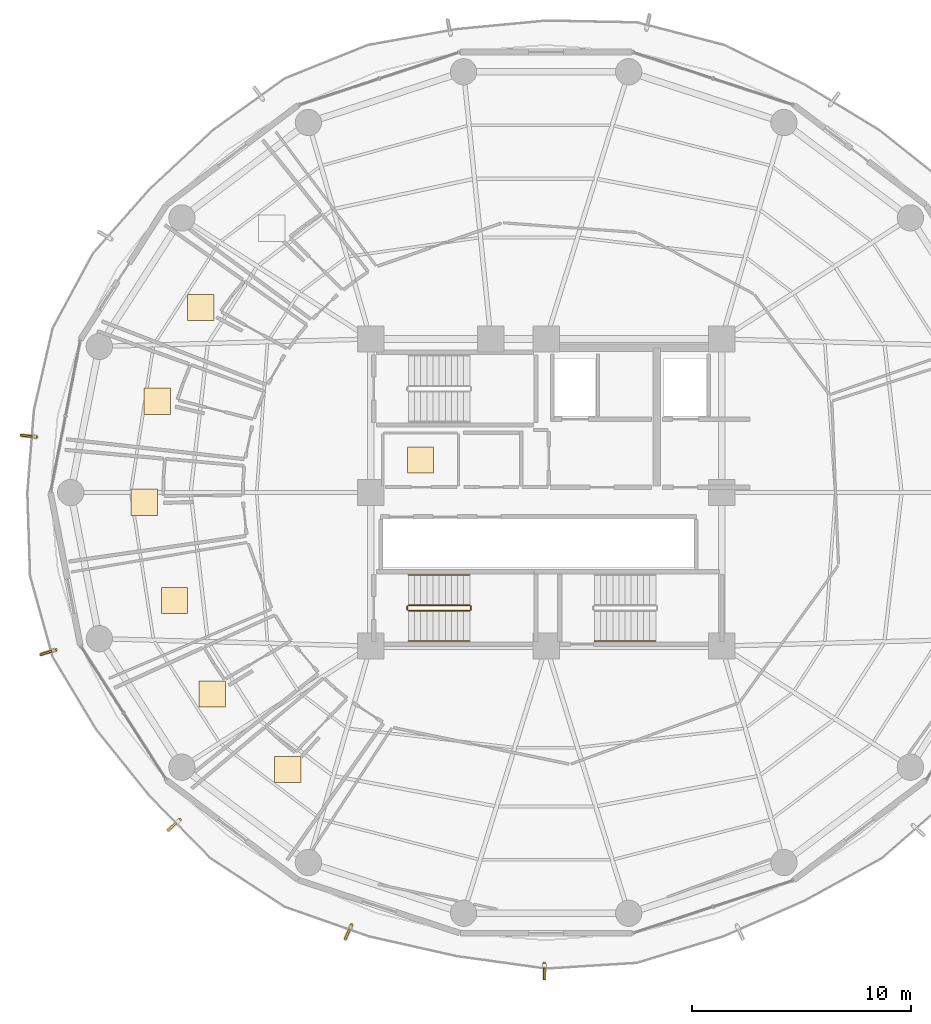
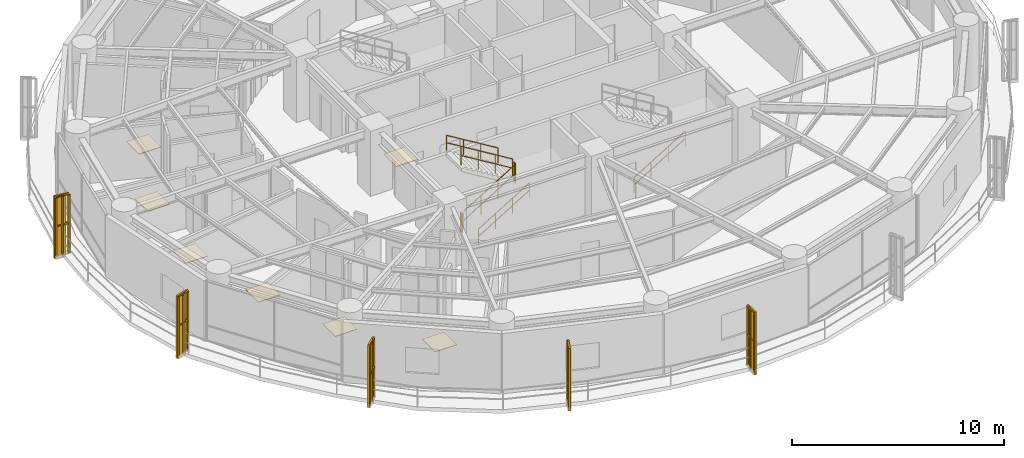
# One storey, part 26 of 28: 12 railings, 7 coverings, 5 shading devices.
"""IFC4 building model written with IfcOpenShell, lengths in metres."""

from ifc_helpers import new_model, si_unit, direction, frame, origin, origin_2d, place, context, subcontext, project, spatial, polyline, rectangle, outline, extrude, source, transform, mapped, material, layer, layer_set, type_object, element, save


model = new_model("IFC4")

# Units and contexts
model_context = context("Model", 3, precision=1e-05, world=origin(), true_north=direction((0.0, 1.0)))
body_context = subcontext(model_context, "Body", "Model", "MODEL_VIEW")
ifc_project = project(units=[si_unit("LENGTHUNIT", "METRE"), si_unit("AREAUNIT", "SQUARE_METRE"), si_unit("VOLUMEUNIT", "CUBIC_METRE"), si_unit("PLANEANGLEUNIT", "RADIAN"), si_unit("MASSUNIT", "GRAM", prefix="KILO")], contexts=[model_context])

# Site, building, storey
site_placement = place(None, origin())
site = spatial("IfcSite", under=ifc_project, at=site_placement, CompositionType="ELEMENT")
building_placement = place(site_placement, origin())
building = spatial("IfcBuilding", under=site, at=building_placement, Name="Kelanora Arch Commons", CompositionType="ELEMENT")
storey_placement = place(building_placement, frame((0.0, 0.0, 176.85009765625)))
storey = spatial("IfcBuildingStorey", under=building, at=storey_placement, Name="L45", CompositionType="ELEMENT", Elevation=176.85009765625)

# Railings
ifc_material_1 = material(Name="Anodised bronze vertical shading fin rib assembly")
railing_type_1 = type_object("IfcRailingType", Name="RAIL-FIN-BRZ", PredefinedType="BALUSTRADE", material=ifc_material_1)
railing_1_placement = place(storey_placement, frame((50.76806640625, 60.533203125, -0.02001953125)))
element("IfcRailing", 1, at=railing_1_placement, inside=storey, type_object=railing_type_1, Name="Sweeping Bronze Vertical Fin Blade L45-08", PredefinedType="BALUSTRADE", context=body_context, shape_type="SweptSolid", body=[
    extrude(outline(polyline([(0.06982421875, 0.0), (0.034912109375, 0.060546875), (-0.034912109375, 0.060546875), (-0.06982421875, 0.0), (-0.034912109375, -0.060546875), (0.034912109375, -0.060546875), (0.06982421875, 0.0)])), frame((0.0, 0.0, 3.419921875), z_axis=(-0.994097922861, 0.108486495765, 0.0), x_axis=(-0.108486495765, -0.994097922861, 0.0)), (0.0, 0.0, 1.0), 0.675048828125),
    extrude(outline(polyline([(0.06982421875, 0.0), (0.034912109375, 0.060546875), (-0.034912109375, 0.060546875), (-0.06982421875, 0.0), (-0.034912109375, -0.060546875), (0.034912109375, -0.060546875), (0.06982421875, 0.0)])), frame((0.0, 0.0, 1.7451171875), z_axis=(-0.994097922861, 0.108486495765, 0.0), x_axis=(-0.108486495765, -0.994097922861, 0.0)), (0.0, 0.0, 1.0), 0.675048828125),
    extrude(outline(polyline([(0.080078125, 0.0), (0.0400390625, 0.0693359375), (-0.0400390625, 0.0693359375), (-0.080078125, 0.0), (-0.0400390625, -0.0693359375), (0.0400390625, -0.0693359375), (0.080078125, 0.0)])), origin(), (0.0, 0.0, 1.0), 3.35009765625),
    extrude(outline(polyline([(0.080078125, 0.0), (0.0400390625, 0.0693359375), (-0.0400390625, 0.0693359375), (-0.080078125, 0.0), (-0.0400390625, -0.0693359375), (0.0400390625, -0.0693359375), (0.080078125, 0.0)])), frame((-0.33544921875, 0.03662109375, 0.0)), (0.0, 0.0, 1.0), 3.35009765625),
    extrude(outline(polyline([(0.080078125, 0.0), (0.0400390625, 0.0693359375), (-0.0400390625, 0.0693359375), (-0.080078125, 0.0), (-0.0400390625, -0.0693359375), (0.0400390625, -0.0693359375), (0.080078125, 0.0)])), frame((-0.671142578125, 0.0732421875, 0.0)), (0.0, 0.0, 1.0), 3.35009765625),
])
railing_2_placement = place(storey_placement, frame((51.636474609375, 50.82958984375, -0.02001953125)))
element("IfcRailing", 2, at=railing_2_placement, inside=storey, type_object=railing_type_1, Name="Sweeping Bronze Vertical Fin Blade L45-09", PredefinedType="BALUSTRADE", context=body_context, shape_type="SweptSolid", body=[
    extrude(outline(polyline([(0.06982421875, 0.0), (0.034912109375, 0.060546875), (-0.034912109375, 0.060546875), (-0.06982421875, 0.0), (-0.034912109375, -0.060546875), (0.034912109375, -0.060546875), (0.06982421875, 0.0)])), frame((0.0, 0.0, 3.419921875), z_axis=(-0.952377938391, -0.304920091935, 0.0), x_axis=(0.304920091935, -0.952377938391, 0.0)), (0.0, 0.0, 1.0), 0.675048828125),
    extrude(outline(polyline([(0.06982421875, 0.0), (0.034912109375, 0.060546875), (-0.034912109375, 0.060546875), (-0.06982421875, 0.0), (-0.034912109375, -0.060546875), (0.034912109375, -0.060546875), (0.06982421875, 0.0)])), frame((0.0, 0.0, 1.7451171875), z_axis=(-0.952377938391, -0.304920091935, 0.0), x_axis=(0.304920091935, -0.952377938391, 0.0)), (0.0, 0.0, 1.0), 0.675048828125),
    extrude(outline(polyline([(0.080078125, 0.0), (0.0400390625, 0.0693359375), (-0.0400390625, 0.0693359375), (-0.080078125, 0.0), (-0.0400390625, -0.0693359375), (0.0400390625, -0.0693359375), (0.080078125, 0.0)])), origin(), (0.0, 0.0, 1.0), 3.35009765625),
    extrude(outline(polyline([(0.080078125, 0.0), (0.0400390625, 0.0693359375), (-0.0400390625, 0.0693359375), (-0.080078125, 0.0), (-0.0400390625, -0.0693359375), (0.0400390625, -0.0693359375), (0.080078125, 0.0)])), frame((-0.3212890625, -0.10302734375, 0.0)), (0.0, 0.0, 1.0), 3.35009765625),
    extrude(outline(polyline([(0.080078125, 0.0), (0.0400390625, 0.0693359375), (-0.0400390625, 0.0693359375), (-0.080078125, 0.0), (-0.0400390625, -0.0693359375), (0.0400390625, -0.0693359375), (0.080078125, 0.0)])), frame((-0.642822265625, -0.205810546875, 0.0)), (0.0, 0.0, 1.0), 3.35009765625),
])
railing_3_placement = place(storey_placement, frame((57.294189453125, 43.075439453125, -0.02001953125)))
element("IfcRailing", 3, at=railing_3_placement, inside=storey, type_object=railing_type_1, Name="Sweeping Bronze Vertical Fin Blade L45-10", PredefinedType="BALUSTRADE", context=body_context, shape_type="SweptSolid", body=[
    extrude(outline(polyline([(0.06982421875, 0.0), (0.034912109375, 0.060546875), (-0.034912109375, 0.060546875), (-0.06982421875, 0.0), (-0.034912109375, -0.060546875), (0.034912109375, -0.060546875), (0.06982421875, 0.0)])), frame((0.0, 0.0, 3.419921875), z_axis=(-0.745770790962, -0.666202617338, 0.0), x_axis=(0.666202617338, -0.745770790962, 0.0)), (0.0, 0.0, 1.0), 0.675048828125),
    extrude(outline(polyline([(0.06982421875, 0.0), (0.034912109375, 0.060546875), (-0.034912109375, 0.060546875), (-0.06982421875, 0.0), (-0.034912109375, -0.060546875), (0.034912109375, -0.060546875), (0.06982421875, 0.0)])), frame((0.0, 0.0, 1.7451171875), z_axis=(-0.745770790962, -0.666202617338, 0.0), x_axis=(0.666202617338, -0.745770790962, 0.0)), (0.0, 0.0, 1.0), 0.675048828125),
    extrude(outline(polyline([(0.080078125, 0.0), (0.0400390625, 0.0693359375), (-0.0400390625, 0.0693359375), (-0.080078125, 0.0), (-0.0400390625, -0.0693359375), (0.0400390625, -0.0693359375), (0.080078125, 0.0)])), origin(), (0.0, 0.0, 1.0), 3.35009765625),
    extrude(outline(polyline([(0.080078125, 0.0), (0.0400390625, 0.0693359375), (-0.0400390625, 0.0693359375), (-0.080078125, 0.0), (-0.0400390625, -0.0693359375), (0.0400390625, -0.0693359375), (0.080078125, 0.0)])), frame((-0.251708984375, -0.224853515625, 0.0)), (0.0, 0.0, 1.0), 3.35009765625),
    extrude(outline(polyline([(0.080078125, 0.0), (0.0400390625, 0.0693359375), (-0.0400390625, 0.0693359375), (-0.080078125, 0.0), (-0.0400390625, -0.0693359375), (0.0400390625, -0.0693359375), (0.080078125, 0.0)])), frame((-0.50341796875, -0.44970703125, 0.0)), (0.0, 0.0, 1.0), 3.35009765625),
])
railing_4_placement = place(storey_placement, frame((65.127197265625, 38.278076171875, -0.02001953125)))
element("IfcRailing", 4, at=railing_4_placement, inside=storey, type_object=railing_type_1, Name="Sweeping Bronze Vertical Fin Blade L45-11", PredefinedType="BALUSTRADE", context=body_context, shape_type="SweptSolid", body=[
    extrude(outline(polyline([(0.06982421875, 0.0), (0.034912109375, 0.060546875), (-0.034912109375, 0.060546875), (-0.06982421875, 0.0), (-0.034912109375, -0.060546875), (0.034912109375, -0.060546875), (0.06982421875, 0.0)])), frame((0.0, 0.0, 3.419921875), z_axis=(-0.410530105331, -0.911847044529, 0.0), x_axis=(0.911847044529, -0.410530105331, 0.0)), (0.0, 0.0, 1.0), 0.675048828125),
    extrude(outline(polyline([(0.06982421875, 0.0), (0.034912109375, 0.060546875), (-0.034912109375, 0.060546875), (-0.06982421875, 0.0), (-0.034912109375, -0.060546875), (0.034912109375, -0.060546875), (0.06982421875, 0.0)])), frame((0.0, 0.0, 1.7451171875), z_axis=(-0.410530105331, -0.911847044529, 0.0), x_axis=(0.911847044529, -0.410530105331, 0.0)), (0.0, 0.0, 1.0), 0.675048828125),
    extrude(outline(polyline([(0.080078125, 0.0), (0.0400390625, 0.0693359375), (-0.0400390625, 0.0693359375), (-0.080078125, 0.0), (-0.0400390625, -0.0693359375), (0.0400390625, -0.0693359375), (0.080078125, 0.0)])), origin(), (0.0, 0.0, 1.0), 3.35009765625),
    extrude(outline(polyline([(0.080078125, 0.0), (0.0400390625, 0.0693359375), (-0.0400390625, 0.0693359375), (-0.080078125, 0.0), (-0.0400390625, -0.0693359375), (0.0400390625, -0.0693359375), (0.080078125, 0.0)])), frame((-0.138671875, -0.3076171875, 0.0)), (0.0, 0.0, 1.0), 3.35009765625),
    extrude(outline(polyline([(0.080078125, 0.0), (0.0400390625, 0.0693359375), (-0.0400390625, 0.0693359375), (-0.080078125, 0.0), (-0.0400390625, -0.0693359375), (0.0400390625, -0.0693359375), (0.080078125, 0.0)])), frame((-0.277099609375, -0.615478515625, 0.0)), (0.0, 0.0, 1.0), 3.35009765625),
])
railing_5_placement = place(storey_placement, frame((73.91650390625, 36.531982421875, -0.02001953125)))
element("IfcRailing", 5, at=railing_5_placement, inside=storey, type_object=railing_type_1, Name="Sweeping Bronze Vertical Fin Blade L45-12", PredefinedType="BALUSTRADE", context=body_context, shape_type="SweptSolid", body=[
    extrude(outline(polyline([(0.06982421875, 0.0), (0.034912109375, 0.060546875), (-0.034912109375, 0.060546875), (-0.06982421875, 0.0), (-0.034912109375, -0.060546875), (0.034912109375, -0.060546875), (0.06982421875, 0.0)])), frame((0.0, 0.0, 3.419921875), z_axis=(-0.003978268699, -0.999992086658, 0.0), x_axis=(0.999992086658, -0.003978268699, 0.0)), (0.0, 0.0, 1.0), 0.675048828125),
    extrude(outline(polyline([(0.06982421875, 0.0), (0.034912109375, 0.060546875), (-0.034912109375, 0.060546875), (-0.06982421875, 0.0), (-0.034912109375, -0.060546875), (0.034912109375, -0.060546875), (0.06982421875, 0.0)])), frame((0.0, 0.0, 1.7451171875), z_axis=(-0.003978268699, -0.999992086658, 0.0), x_axis=(0.999992086658, -0.003978268699, 0.0)), (0.0, 0.0, 1.0), 0.675048828125),
    extrude(outline(polyline([(0.080078125, 0.0), (0.0400390625, 0.0693359375), (-0.0400390625, 0.0693359375), (-0.080078125, 0.0), (-0.0400390625, -0.0693359375), (0.0400390625, -0.0693359375), (0.080078125, 0.0)])), origin(), (0.0, 0.0, 1.0), 3.35009765625),
    extrude(outline(polyline([(0.080078125, 0.0), (0.0400390625, 0.0693359375), (-0.0400390625, 0.0693359375), (-0.080078125, 0.0), (-0.0400390625, -0.0693359375), (0.0400390625, -0.0693359375), (0.080078125, 0.0)])), frame((-0.00146484375, -0.33740234375, 0.0)), (0.0, 0.0, 1.0), 3.35009765625),
    extrude(outline(polyline([(0.080078125, 0.0), (0.0400390625, 0.0693359375), (-0.0400390625, 0.0693359375), (-0.080078125, 0.0), (-0.0400390625, -0.0693359375), (0.0400390625, -0.0693359375), (0.080078125, 0.0)])), frame((-0.002685546875, -0.675048828125, 0.0)), (0.0, 0.0, 1.0), 3.35009765625),
])
ifc_material_2 = material(Name="Painted steel stair well guard", Category="steel")
railing_type_2 = type_object("IfcRailingType", Name="RAIL-STAIR-GRD", PredefinedType="GUARDRAIL", material=ifc_material_2)
railing_6_placement = place(storey_placement, frame((67.719970703125, 52.610107421875, 0.17041015625)))
element("IfcRailing", 6, at=railing_6_placement, inside=storey, type_object=railing_type_2, Name="L45 ST-T3 stair guard 1", PredefinedType="GUARDRAIL", context=body_context, shape_type="SweptSolid", body=[
    extrude(outline(polyline([(0.02392578125, 0.0), (0.011962890625, 0.020751953125), (-0.011962890625, 0.020751953125), (-0.02392578125, 0.0), (-0.011962890625, -0.020751953125), (0.011962890625, -0.020751953125), (0.02392578125, 0.0)])), frame((0.0, 0.0, 1.076171875), z_axis=(0.854169791009, 0.0, 0.51999420009), x_axis=(0.0, 1.0, 0.0)), (0.0, 0.0, 1.0), 3.278076171875),
    extrude(outline(polyline([(0.02392578125, 0.0), (0.011962890625, 0.020751953125), (-0.011962890625, 0.020751953125), (-0.02392578125, 0.0), (-0.011962890625, -0.020751953125), (0.011962890625, -0.020751953125), (0.02392578125, 0.0)])), frame((0.0, 0.0, 0.550048828125), z_axis=(0.854169791009, 0.0, 0.51999420009), x_axis=(0.0, 1.0, 0.0)), (0.0, 0.0, 1.0), 3.278076171875),
    extrude(outline(polyline([(0.02099609375, 0.0), (0.010498046875, 0.01806640625), (-0.010498046875, 0.01806640625), (-0.02099609375, 0.0), (-0.010498046875, -0.01806640625), (0.010498046875, -0.01806640625), (0.02099609375, 0.0)])), origin(), (0.0, 0.0, 1.0), 1.052001953125),
    extrude(outline(polyline([(0.02099609375, 0.0), (0.010498046875, 0.01806640625), (-0.010498046875, 0.01806640625), (-0.02099609375, 0.0), (-0.010498046875, -0.01806640625), (0.010498046875, -0.01806640625), (0.02099609375, 0.0)])), frame((0.933349609375, 0.0, 0.568115234375)), (0.0, 0.0, 1.0), 1.052001953125),
    extrude(outline(polyline([(0.02099609375, 0.0), (0.010498046875, 0.01806640625), (-0.010498046875, 0.01806640625), (-0.02099609375, 0.0), (-0.010498046875, -0.01806640625), (0.010498046875, -0.01806640625), (0.02099609375, 0.0)])), frame((1.86669921875, 0.0, 1.136474609375)), (0.0, 0.0, 1.0), 1.052001953125),
    extrude(outline(polyline([(0.02099609375, 0.0), (0.010498046875, 0.01806640625), (-0.010498046875, 0.01806640625), (-0.02099609375, 0.0), (-0.010498046875, -0.01806640625), (0.010498046875, -0.01806640625), (0.02099609375, 0.0)])), frame((2.800048828125, 0.0, 1.70458984375)), (0.0, 0.0, 1.0), 1.052001953125),
])
railing_7_placement = place(storey_placement, frame((70.570068359375, 52.659912109375, 1.875)))
element("IfcRailing", 7, at=railing_7_placement, inside=storey, type_object=railing_type_2, Name="L45 ST-T3 stair guard 2", PredefinedType="GUARDRAIL", context=body_context, shape_type="SweptSolid", body=[
    extrude(outline(polyline([(0.02392578125, 0.0), (0.011962890625, 0.020751953125), (-0.011962890625, 0.020751953125), (-0.02392578125, 0.0), (-0.011962890625, -0.020751953125), (0.011962890625, -0.020751953125), (0.02392578125, 0.0)])), frame((0.0, 0.0, 1.076171875), z_axis=(0.0, 1.0, 0.0), x_axis=(-1.0, 0.0, 0.0)), (0.0, 0.0, 1.0), 0.150146484375),
    extrude(outline(polyline([(0.02392578125, 0.0), (0.011962890625, 0.020751953125), (-0.011962890625, 0.020751953125), (-0.02392578125, 0.0), (-0.011962890625, -0.020751953125), (0.011962890625, -0.020751953125), (0.02392578125, 0.0)])), frame((0.0, 0.0, 0.550048828125), z_axis=(0.0, 1.0, 0.0), x_axis=(-1.0, 0.0, 0.0)), (0.0, 0.0, 1.0), 0.150146484375),
    extrude(outline(polyline([(0.02099609375, 0.0), (0.010498046875, 0.01806640625), (-0.010498046875, 0.01806640625), (-0.02099609375, 0.0), (-0.010498046875, -0.01806640625), (0.010498046875, -0.01806640625), (0.02099609375, 0.0)])), origin(), (0.0, 0.0, 1.0), 1.052001953125),
    extrude(outline(polyline([(0.02099609375, 0.0), (0.010498046875, 0.01806640625), (-0.010498046875, 0.01806640625), (-0.02099609375, 0.0), (-0.010498046875, -0.01806640625), (0.010498046875, -0.01806640625), (0.02099609375, 0.0)])), frame((0.0, 0.150146484375, 0.0)), (0.0, 0.0, 1.0), 1.052001953125),
])
railing_8_placement = place(storey_placement, frame((70.52001953125, 52.860107421875, 2.04541015625)))
element("IfcRailing", 8, at=railing_8_placement, inside=storey, type_object=railing_type_2, Name="L45 ST-T3 stair guard 3", PredefinedType="GUARDRAIL", context=body_context, shape_type="SweptSolid", body=[
    extrude(outline(polyline([(0.02392578125, 0.0), (0.011962890625, 0.020751953125), (-0.011962890625, 0.020751953125), (-0.02392578125, 0.0), (-0.011962890625, -0.020751953125), (0.011962890625, -0.020751953125), (0.02392578125, 0.0)])), frame((0.0, 0.0, 1.076171875), z_axis=(-0.854169791009, 0.0, 0.51999420009), x_axis=(0.0, -1.0, 0.0)), (0.0, 0.0, 1.0), 3.278076171875),
    extrude(outline(polyline([(0.02392578125, 0.0), (0.011962890625, 0.020751953125), (-0.011962890625, 0.020751953125), (-0.02392578125, 0.0), (-0.011962890625, -0.020751953125), (0.011962890625, -0.020751953125), (0.02392578125, 0.0)])), frame((0.0, 0.0, 0.550048828125), z_axis=(-0.854169791009, 0.0, 0.51999420009), x_axis=(0.0, -1.0, 0.0)), (0.0, 0.0, 1.0), 3.278076171875),
    extrude(outline(polyline([(0.02099609375, 0.0), (0.010498046875, 0.01806640625), (-0.010498046875, 0.01806640625), (-0.02099609375, 0.0), (-0.010498046875, -0.01806640625), (0.010498046875, -0.01806640625), (0.02099609375, 0.0)])), origin(), (0.0, 0.0, 1.0), 1.052001953125),
    extrude(outline(polyline([(0.02099609375, 0.0), (0.010498046875, 0.01806640625), (-0.010498046875, 0.01806640625), (-0.02099609375, 0.0), (-0.010498046875, -0.01806640625), (0.010498046875, -0.01806640625), (0.02099609375, 0.0)])), frame((-0.933349609375, 0.0, 0.568115234375)), (0.0, 0.0, 1.0), 1.052001953125),
    extrude(outline(polyline([(0.02099609375, 0.0), (0.010498046875, 0.01806640625), (-0.010498046875, 0.01806640625), (-0.02099609375, 0.0), (-0.010498046875, -0.01806640625), (0.010498046875, -0.01806640625), (0.02099609375, 0.0)])), frame((-1.86669921875, 0.0, 1.136474609375)), (0.0, 0.0, 1.0), 1.052001953125),
    extrude(outline(polyline([(0.02099609375, 0.0), (0.010498046875, 0.01806640625), (-0.010498046875, 0.01806640625), (-0.02099609375, 0.0), (-0.010498046875, -0.01806640625), (0.010498046875, -0.01806640625), (0.02099609375, 0.0)])), frame((-2.800048828125, 0.0, 1.70458984375)), (0.0, 0.0, 1.0), 1.052001953125),
])
railing_9_placement = place(storey_placement, frame((67.669921875, 52.659912109375, 0.0)))
element("IfcRailing", 9, at=railing_9_placement, inside=storey, type_object=railing_type_2, Name="L45 ST-T3 stair guard 4", PredefinedType="GUARDRAIL", context=body_context, shape_type="SweptSolid", body=[
    extrude(outline(polyline([(0.02392578125, 0.0), (0.011962890625, 0.020751953125), (-0.011962890625, 0.020751953125), (-0.02392578125, 0.0), (-0.011962890625, -0.020751953125), (0.011962890625, -0.020751953125), (0.02392578125, 0.0)])), frame((0.0, 0.0, 1.076171875), z_axis=(0.0, 1.0, 0.0), x_axis=(-1.0, 0.0, 0.0)), (0.0, 0.0, 1.0), 0.150146484375),
    extrude(outline(polyline([(0.02392578125, 0.0), (0.011962890625, 0.020751953125), (-0.011962890625, 0.020751953125), (-0.02392578125, 0.0), (-0.011962890625, -0.020751953125), (0.011962890625, -0.020751953125), (0.02392578125, 0.0)])), frame((0.0, 0.0, 0.550048828125), z_axis=(0.0, 1.0, 0.0), x_axis=(-1.0, 0.0, 0.0)), (0.0, 0.0, 1.0), 0.150146484375),
    extrude(outline(polyline([(0.02099609375, 0.0), (0.010498046875, 0.01806640625), (-0.010498046875, 0.01806640625), (-0.02099609375, 0.0), (-0.010498046875, -0.01806640625), (0.010498046875, -0.01806640625), (0.02099609375, 0.0)])), origin(), (0.0, 0.0, 1.0), 1.052001953125),
    extrude(outline(polyline([(0.02099609375, 0.0), (0.010498046875, 0.01806640625), (-0.010498046875, 0.01806640625), (-0.02099609375, 0.0), (-0.010498046875, -0.01806640625), (0.010498046875, -0.01806640625), (0.02099609375, 0.0)])), frame((0.0, 0.150146484375, 0.0)), (0.0, 0.0, 1.0), 1.052001953125),
])
ifc_material_3 = material(Name="Brushed stainless steel stair handrail", Category="steel")
railing_type_3 = type_object("IfcRailingType", Name="RAIL-STAIR-HND", PredefinedType="HANDRAIL", material=ifc_material_3)
railing_10_placement = place(storey_placement, frame((76.199951171875, 51.22998046875, 0.17041015625)))
element("IfcRailing", 10, at=railing_10_placement, inside=storey, type_object=railing_type_3, Name="L45 ST-T2 stair handrail 1", PredefinedType="HANDRAIL", context=body_context, shape_type="SweptSolid", body=[
    extrude(outline(polyline([(0.02392578125, 0.0), (0.011962890625, 0.020751953125), (-0.011962890625, 0.020751953125), (-0.02392578125, 0.0), (-0.011962890625, -0.020751953125), (0.011962890625, -0.020751953125), (0.02392578125, 0.0)])), frame((0.0, 0.0, 0.8759765625), z_axis=(0.854169791009, 0.0, 0.51999420009), x_axis=(0.0, 1.0, 0.0)), (0.0, 0.0, 1.0), 3.278076171875),
    extrude(outline(polyline([(0.02392578125, 0.0), (0.011962890625, 0.020751953125), (-0.011962890625, 0.020751953125), (-0.02392578125, 0.0), (-0.011962890625, -0.020751953125), (0.011962890625, -0.020751953125), (0.02392578125, 0.0)])), frame((0.0, 0.0, 0.449951171875), z_axis=(0.854169791009, 0.0, 0.51999420009), x_axis=(0.0, 1.0, 0.0)), (0.0, 0.0, 1.0), 3.278076171875),
    extrude(outline(polyline([(0.02099609375, 0.0), (0.010498046875, 0.01806640625), (-0.010498046875, 0.01806640625), (-0.02099609375, 0.0), (-0.010498046875, -0.01806640625), (0.010498046875, -0.01806640625), (0.02099609375, 0.0)])), origin(), (0.0, 0.0, 1.0), 0.851806640625),
    extrude(outline(polyline([(0.02099609375, 0.0), (0.010498046875, 0.01806640625), (-0.010498046875, 0.01806640625), (-0.02099609375, 0.0), (-0.010498046875, -0.01806640625), (0.010498046875, -0.01806640625), (0.02099609375, 0.0)])), frame((0.933349609375, 0.0, 0.568115234375)), (0.0, 0.0, 1.0), 0.851806640625),
    extrude(outline(polyline([(0.02099609375, 0.0), (0.010498046875, 0.01806640625), (-0.010498046875, 0.01806640625), (-0.02099609375, 0.0), (-0.010498046875, -0.01806640625), (0.010498046875, -0.01806640625), (0.02099609375, 0.0)])), frame((1.86669921875, 0.0, 1.136474609375)), (0.0, 0.0, 1.0), 0.851806640625),
    extrude(outline(polyline([(0.02099609375, 0.0), (0.010498046875, 0.01806640625), (-0.010498046875, 0.01806640625), (-0.02099609375, 0.0), (-0.010498046875, -0.01806640625), (0.010498046875, -0.01806640625), (0.02099609375, 0.0)])), frame((2.800048828125, 0.0, 1.70458984375)), (0.0, 0.0, 1.0), 0.851806640625),
])
railing_11_placement = place(storey_placement, frame((67.719970703125, 51.22998046875, 0.17041015625)))
element("IfcRailing", 11, at=railing_11_placement, inside=storey, type_object=railing_type_3, Name="L45 ST-T3 stair handrail 1", PredefinedType="HANDRAIL", context=body_context, shape_type="SweptSolid", body=[
    extrude(outline(polyline([(0.02392578125, 0.0), (0.011962890625, 0.020751953125), (-0.011962890625, 0.020751953125), (-0.02392578125, 0.0), (-0.011962890625, -0.020751953125), (0.011962890625, -0.020751953125), (0.02392578125, 0.0)])), frame((0.0, 0.0, 0.8759765625), z_axis=(0.854169791009, 0.0, 0.51999420009), x_axis=(0.0, 1.0, 0.0)), (0.0, 0.0, 1.0), 3.278076171875),
    extrude(outline(polyline([(0.02392578125, 0.0), (0.011962890625, 0.020751953125), (-0.011962890625, 0.020751953125), (-0.02392578125, 0.0), (-0.011962890625, -0.020751953125), (0.011962890625, -0.020751953125), (0.02392578125, 0.0)])), frame((0.0, 0.0, 0.449951171875), z_axis=(0.854169791009, 0.0, 0.51999420009), x_axis=(0.0, 1.0, 0.0)), (0.0, 0.0, 1.0), 3.278076171875),
    extrude(outline(polyline([(0.02099609375, 0.0), (0.010498046875, 0.01806640625), (-0.010498046875, 0.01806640625), (-0.02099609375, 0.0), (-0.010498046875, -0.01806640625), (0.010498046875, -0.01806640625), (0.02099609375, 0.0)])), origin(), (0.0, 0.0, 1.0), 0.851806640625),
    extrude(outline(polyline([(0.02099609375, 0.0), (0.010498046875, 0.01806640625), (-0.010498046875, 0.01806640625), (-0.02099609375, 0.0), (-0.010498046875, -0.01806640625), (0.010498046875, -0.01806640625), (0.02099609375, 0.0)])), frame((0.933349609375, 0.0, 0.568115234375)), (0.0, 0.0, 1.0), 0.851806640625),
    extrude(outline(polyline([(0.02099609375, 0.0), (0.010498046875, 0.01806640625), (-0.010498046875, 0.01806640625), (-0.02099609375, 0.0), (-0.010498046875, -0.01806640625), (0.010498046875, -0.01806640625), (0.02099609375, 0.0)])), frame((1.86669921875, 0.0, 1.136474609375)), (0.0, 0.0, 1.0), 0.851806640625),
    extrude(outline(polyline([(0.02099609375, 0.0), (0.010498046875, 0.01806640625), (-0.010498046875, 0.01806640625), (-0.02099609375, 0.0), (-0.010498046875, -0.01806640625), (0.010498046875, -0.01806640625), (0.02099609375, 0.0)])), frame((2.800048828125, 0.0, 1.70458984375)), (0.0, 0.0, 1.0), 0.851806640625),
])
railing_12_placement = place(storey_placement, frame((70.52001953125, 54.239990234375, 2.04541015625)))
element("IfcRailing", 12, at=railing_12_placement, inside=storey, type_object=railing_type_3, Name="L45 ST-T3 stair handrail 2", PredefinedType="HANDRAIL", context=body_context, shape_type="SweptSolid", body=[
    extrude(outline(polyline([(0.02392578125, 0.0), (0.011962890625, 0.020751953125), (-0.011962890625, 0.020751953125), (-0.02392578125, 0.0), (-0.011962890625, -0.020751953125), (0.011962890625, -0.020751953125), (0.02392578125, 0.0)])), frame((0.0, 0.0, 0.8759765625), z_axis=(-0.854169791009, 0.0, 0.51999420009), x_axis=(0.0, -1.0, 0.0)), (0.0, 0.0, 1.0), 3.278076171875),
    extrude(outline(polyline([(0.02392578125, 0.0), (0.011962890625, 0.020751953125), (-0.011962890625, 0.020751953125), (-0.02392578125, 0.0), (-0.011962890625, -0.020751953125), (0.011962890625, -0.020751953125), (0.02392578125, 0.0)])), frame((0.0, 0.0, 0.449951171875), z_axis=(-0.854169791009, 0.0, 0.51999420009), x_axis=(0.0, -1.0, 0.0)), (0.0, 0.0, 1.0), 3.278076171875),
    extrude(outline(polyline([(0.02099609375, 0.0), (0.010498046875, 0.01806640625), (-0.010498046875, 0.01806640625), (-0.02099609375, 0.0), (-0.010498046875, -0.01806640625), (0.010498046875, -0.01806640625), (0.02099609375, 0.0)])), origin(), (0.0, 0.0, 1.0), 0.851806640625),
    extrude(outline(polyline([(0.02099609375, 0.0), (0.010498046875, 0.01806640625), (-0.010498046875, 0.01806640625), (-0.02099609375, 0.0), (-0.010498046875, -0.01806640625), (0.010498046875, -0.01806640625), (0.02099609375, 0.0)])), frame((-0.933349609375, 0.0, 0.568115234375)), (0.0, 0.0, 1.0), 0.851806640625),
    extrude(outline(polyline([(0.02099609375, 0.0), (0.010498046875, 0.01806640625), (-0.010498046875, 0.01806640625), (-0.02099609375, 0.0), (-0.010498046875, -0.01806640625), (0.010498046875, -0.01806640625), (0.02099609375, 0.0)])), frame((-1.86669921875, 0.0, 1.136474609375)), (0.0, 0.0, 1.0), 0.851806640625),
    extrude(outline(polyline([(0.02099609375, 0.0), (0.010498046875, 0.01806640625), (-0.010498046875, 0.01806640625), (-0.02099609375, 0.0), (-0.010498046875, -0.01806640625), (0.010498046875, -0.01806640625), (0.02099609375, 0.0)])), frame((-2.800048828125, 0.0, 1.70458984375)), (0.0, 0.0, 1.0), 0.851806640625),
])

# Shading devices
ifc_material_4 = material(Name="Terracotta ceramic-clad extruded aluminium fin", Category="masonry")
shading_device_type = type_object("IfcShadingDeviceType", Name="SHD-FIN-WAIST", PredefinedType="USERDEFINED", material=ifc_material_4)
shared_shape_1 = source(origin(), body_context, "Body", "SweptSolid", [
    extrude(rectangle(XDim=0.56005859375, YDim=0.090087890625, at=origin_2d()), origin(), (0.0, 0.0, 1.0), 3.610107421875),
])
for number, where, z_axis, x_axis, name in (
    (13, (50.29345703125, 60.5849609375, -0.14013671875), (0.0, 0.0, 1.0), (-0.994113204519, 0.108346373271, 0.0), "Sweeping Terracotta Fin L45-08"),
    (14, (51.181640625, 50.68408203125, -0.14013671875), (0.0, 0.0, 1.0), (-0.952236042525, -0.30536293049, 0.0), "Sweeping Terracotta Fin L45-09"),
    (15, (56.93798828125, 42.757080078125, -0.14013671875), (0.0, 0.0, 1.0), (-0.745708617985, -0.666272209433, 0.0), "Sweeping Terracotta Fin L45-10"),
    (16, (64.93115234375, 37.842529296875, -0.14013671875), (0.0, 0.0, 1.0), (-0.410241398845, -0.911976970473, 0.0), "Sweeping Terracotta Fin L45-11"),
    (17, (73.91455078125, 36.054443359375, -0.14013671875), (0.0, 0.0, 1.0), (-0.003839714919, -0.999992628267, 0.0), "Sweeping Terracotta Fin L45-12"),
):
    element("IfcShadingDevice", number, at=place(storey_placement, frame(where, z_axis=z_axis, x_axis=x_axis)), inside=storey, type_object=shading_device_type, Name=name, ObjectType="FIN", PredefinedType="USERDEFINED", context=body_context, shape_type="MappedRepresentation", body=[
        mapped(shared_shape_1, transform((0.0, 0.0, 0.0), scale=1.0)),
    ])

# Coverings
ifc_material_5 = material(Name="Polished local granite terrazzo flooring", Category="masonry")
ifc_layer = layer(ifc_material_5, 0.030029296875)
ifc_layer_set = layer_set([ifc_layer], Name="Polished local granite terrazzo flooring")
covering_type = type_object("IfcCoveringType", Name="COV-FLR-TER", PredefinedType="FLOORING", material=ifc_layer_set)
shared_shape_2 = source(origin(), body_context, "Body", "SweptSolid", [
    extrude(rectangle(XDim=1.199951171875, YDim=1.199951171875, at=origin_2d()), origin(), (0.0, 0.0, 1.0), 0.030029296875),
])
for number, where, z_axis, x_axis, name in (
    (18, (68.27490234375, 59.485107421875, 0.0), (0.0, 0.0, 1.0), (1.0, 0.0, 0.0), "Reclaimed Core Quiet Phone Booths L45 Terrazzo Finish"),
    (19, (58.25634765625, 66.439697265625, 0.0), (0.0, 0.0, 1.0), (1.0, 0.0, 0.0), "Cluster Bedroom L45-02 Terrazzo Finish"),
    (20, (56.268310546875, 62.1640625, 0.0), (0.0, 0.0, 1.0), (1.0, 0.0, 0.0), "Cluster Bedroom L45-03 Terrazzo Finish"),
    (21, (55.680908203125, 57.559814453125, 0.0), (0.0, 0.0, 1.0), (1.0, 0.0, 0.0), "Cluster Bedroom L45-04 Terrazzo Finish"),
    (22, (57.056396484375, 53.073974609375, 0.0), (0.0, 0.0, 1.0), (1.0, 0.0, 0.0), "Shared Cluster Kitchen L45-05 Terrazzo Finish"),
    (23, (58.77978515625, 48.81640625, 0.0), (0.0, 0.0, 1.0), (1.0, 0.0, 0.0), "Cluster Bedroom L45-06 Terrazzo Finish"),
    (24, (62.22119140625, 45.367919921875, 0.0), (0.0, 0.0, 1.0), (1.0, 0.0, 0.0), "Cluster Bedroom L45-07 Terrazzo Finish"),
):
    element("IfcCovering", number, at=place(storey_placement, frame(where, z_axis=z_axis, x_axis=x_axis)), inside=storey, type_object=covering_type, Name=name, PredefinedType="FLOORING", context=body_context, shape_type="MappedRepresentation", body=[
        mapped(shared_shape_2, transform((0.0, 0.0, 0.0), scale=1.0)),
    ])

save(model, "model.ifc")
